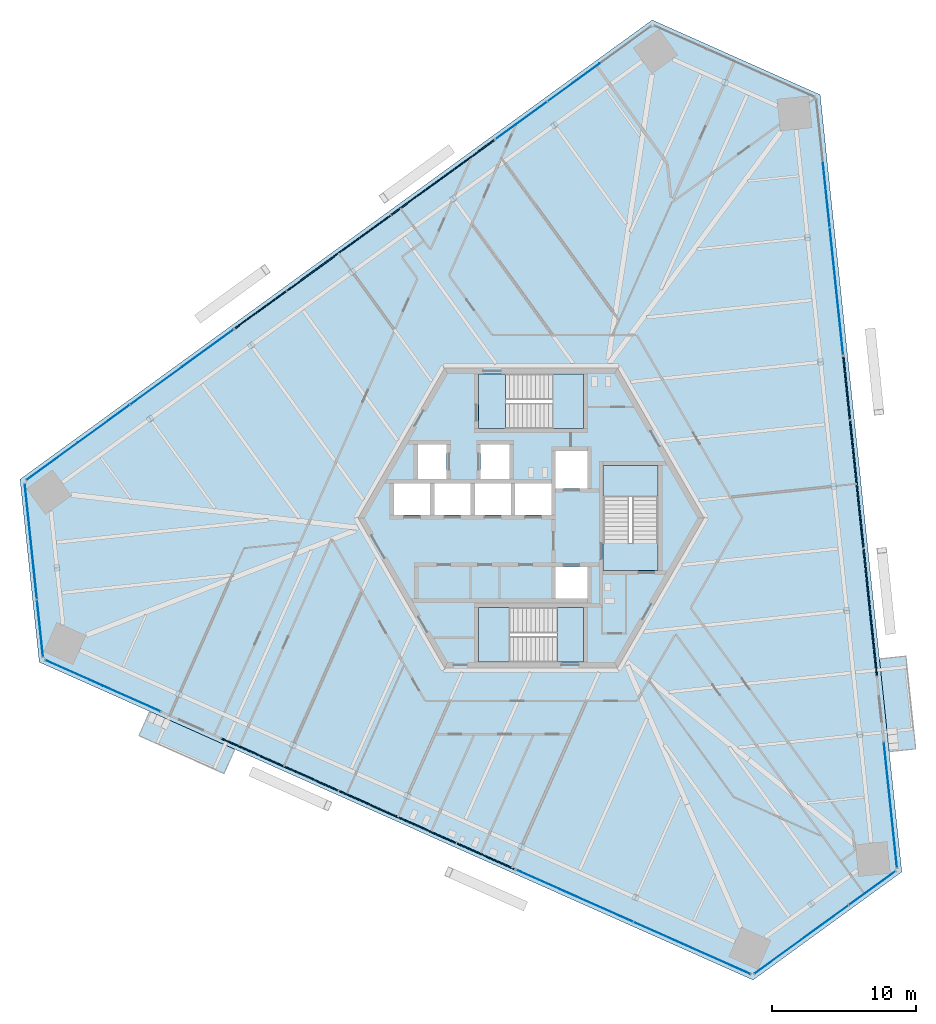
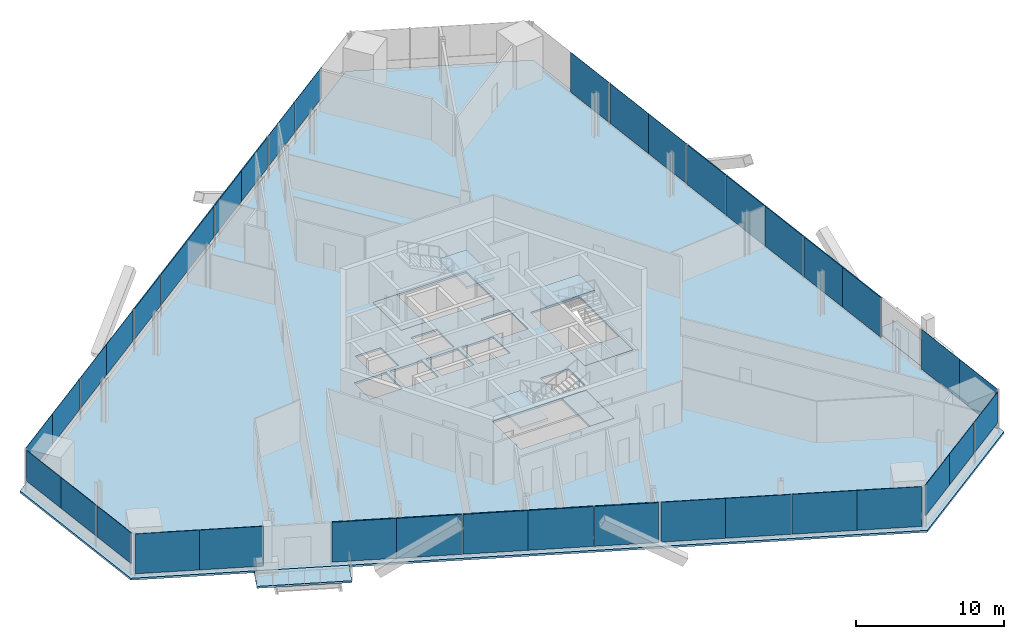
# One storey, part 10 of 19: 38 plates, 9 slabs, 14 elements without a shape of their own.
"""IFC4 building model written with IfcOpenShell, lengths in metres."""

from ifc_helpers import new_model, si_unit, direction, frame, origin, origin_2d, place, context, subcontext, project, spatial, polyline, rectangle, outline, extrude, source, transform, mapped, material, layer, layer_set, type_object, element, aggregate, save


model = new_model("IFC4")

# Units and contexts
model_context = context("Model", 3, precision=1e-05, world=origin(), true_north=direction((0.0, 1.0)))
body_context = subcontext(model_context, "Body", "Model", "MODEL_VIEW")
ifc_project = project(units=[si_unit("LENGTHUNIT", "METRE"), si_unit("AREAUNIT", "SQUARE_METRE"), si_unit("VOLUMEUNIT", "CUBIC_METRE"), si_unit("PLANEANGLEUNIT", "RADIAN"), si_unit("MASSUNIT", "GRAM", prefix="KILO")], contexts=[model_context])

# Site, building, storey
site_placement = place(None, origin())
site = spatial("IfcSite", under=ifc_project, at=site_placement, CompositionType="ELEMENT")
building_placement = place(site_placement, origin())
building = spatial("IfcBuilding", under=site, at=building_placement, Name="Triune Harvest Tower", CompositionType="ELEMENT")
storey_placement = place(building_placement, frame((0.0, 0.0, 69.300048828125)))
storey = spatial("IfcBuildingStorey", under=building, at=storey_placement, Name="L16", CompositionType="ELEMENT", Elevation=69.300048828125)

# Slabs
ifc_material_1 = material(Name="Concrete 40 MPa", Category="concrete")
ifc_layer_1 = layer(ifc_material_1, 0.159912109375)
ifc_layer_set_1 = layer_set([ifc_layer_1], Name="Concrete 40 MPa")
slab_type_1 = type_object("IfcSlabType", Name="BA-1 balcony slab 160", PredefinedType="FLOOR", material=ifc_layer_set_1)
slab_1_placement = place(storey_placement, frame((0.0, 0.0, -0.16015625)))
element("IfcSlab", 1, at=slab_1_placement, inside=storey, type_object=slab_type_1, Name="Balcony slab B2-F1 L16.3", PredefinedType="FLOOR", context=body_context, shape_type="SweptSolid", body=[
    extrude(outline(polyline([(24.826416015625, -16.193115234375), (24.151611328125, -9.7724609375), (25.986083984375, -9.57958984375), (26.660888671875, -16.00048828125), (24.826416015625, -16.193115234375)])), origin(), (0.0, 0.0, 1.0), 0.16015625),
])
slab_2_placement = place(storey_placement, frame((0.0, 0.0, -0.16015625)))
element("IfcSlab", 2, at=slab_2_placement, inside=storey, type_object=slab_type_1, Name="Balcony slab B2-F5 L16.3", PredefinedType="FLOOR", context=body_context, shape_type="SweptSolid", body=[
    extrude(outline(polyline([(-26.436767578125, -13.40380859375), (-20.538818359375, -16.02978515625), (-21.2890625, -17.715087890625), (-27.18701171875, -15.089111328125), (-26.436767578125, -13.40380859375)])), origin(), (0.0, 0.0, 1.0), 0.16015625),
])
ifc_material_2 = material(Name="Concrete 40 MPa", Category="concrete")
ifc_layer_2 = layer(ifc_material_2, 0.159912109375)
ifc_layer_set_2 = layer_set([ifc_layer_2], Name="Concrete 40 MPa")
slab_type_2 = type_object("IfcSlabType", Name="SL-1 Composite floor slab 160", PredefinedType="FLOOR", material=ifc_layer_set_2)
shared_shape_1 = source(origin(), body_context, "Body", "SweptSolid", [
    extrude(outline(polyline([(25.703125, -24.534423828125), (20.04052734375, 29.34228515625), (8.395751953125, 34.526611328125), (-35.431396484375, 2.6845703125), (-34.098876953125, -9.992431640625), (15.390869140625, -32.026611328125), (25.703125, -24.534423828125)]), holes=[polyline([(-7.0, 0.2099609375), (-7.0, 2.409912109375), (-9.5, 2.409912109375), (-9.5, 0.2099609375), (-7.0, 0.2099609375)]), polyline([(-4.199951171875, 0.2099609375), (-4.199951171875, 2.409912109375), (-6.699951171875, 2.409912109375), (-6.699951171875, 0.2099609375), (-4.199951171875, 0.2099609375)]), polyline([(-1.39990234375, 0.2099609375), (-1.39990234375, 2.409912109375), (-3.89990234375, 2.409912109375), (-3.89990234375, 0.2099609375), (-1.39990234375, 0.2099609375)]), polyline([(1.39990234375, 0.2099609375), (1.39990234375, 2.409912109375), (-1.10009765625, 2.409912109375), (-1.10009765625, 0.2099609375), (1.39990234375, 0.2099609375)]), polyline([(3.89990234375, 2.06005859375), (3.89990234375, 4.659912109375), (1.699951171875, 4.659912109375), (1.699951171875, 2.06005859375), (3.89990234375, 2.06005859375)]), polyline([(3.89990234375, -5.590087890625), (3.89990234375, -3.389892578125), (1.699951171875, -3.389892578125), (1.699951171875, -5.590087890625), (3.89990234375, -5.590087890625)]), polyline([(-5.85009765625, 2.7099609375), (-5.85009765625, 5.110107421875), (-7.85009765625, 5.110107421875), (-7.85009765625, 2.7099609375), (-5.85009765625, 2.7099609375)]), polyline([(-1.5, 2.7099609375), (-1.5, 5.110107421875), (-3.5, 5.110107421875), (-3.5, 2.7099609375), (-1.5, 2.7099609375)]), polyline([(3.64990234375, 6.18994140625), (3.64990234375, 9.989990234375), (-3.64990234375, 9.989990234375), (-3.64990234375, 6.18994140625), (3.64990234375, 6.18994140625)]), polyline([(3.64990234375, -9.989990234375), (3.64990234375, -6.18994140625), (-3.64990234375, -6.18994140625), (-3.64990234375, -9.989990234375), (3.64990234375, -9.989990234375)]), polyline([(8.800048828125, -3.64990234375), (8.800048828125, 3.64990234375), (5.0, 3.64990234375), (5.0, -3.64990234375), (8.800048828125, -3.64990234375)])]), origin(), (0.0, 0.0, 1.0), 0.16015625),
])
slab_3_placement = place(storey_placement, frame((0.0, 0.0, -0.16015625)))
element("IfcSlab", 3, at=slab_3_placement, inside=storey, type_object=slab_type_2, Name="slab/L16/1", PredefinedType="FLOOR", context=body_context, shape_type="MappedRepresentation", body=[
    mapped(shared_shape_1, transform((0.0, 0.0, 0.0), scale=1.0)),
])

# Stair, slabs
ifc_material_3 = material(Name="Concrete 40 MPa", Category="concrete")
stair_type = type_object("IfcStairType", Name="Exit stair 1800 half turn", PredefinedType="HALF_TURN_STAIR", material=ifc_material_3)
stair_1_placement = place(storey_placement, origin())
stair_1 = element("IfcStair", 4, at=stair_1_placement, inside=storey, type_object=stair_type, Name="Exit stair north", PredefinedType="HALF_TURN_STAIR")
ifc_material_4 = material(Name="Concrete 40 MPa", Category="concrete")
ifc_layer_3 = layer(ifc_material_4, 0.199951171875)
ifc_layer_set_3 = layer_set([ifc_layer_3], Name="Concrete 40 MPa")
slab_type_3 = type_object("IfcSlabType", Name="Stair landing 200", PredefinedType="LANDING", material=ifc_layer_set_3)
shared_shape_2 = source(origin(), body_context, "Body", "SweptSolid", [
    extrude(outline(polyline([(-3.64990234375, 6.18994140625), (-1.780029296875, 6.18994140625), (-1.780029296875, 9.989990234375), (-3.64990234375, 9.989990234375), (-3.64990234375, 6.18994140625)])), origin(), (0.0, 0.0, 1.0), 0.199951171875),
])
slab_4_placement = place(storey_placement, frame((0.0, 0.0, -0.199951171875)))
slab_4 = element("IfcSlab", 5, at=slab_4_placement, type_object=slab_type_3, Name="ST-1 landing 1", PredefinedType="LANDING", context=body_context, shape_type="MappedRepresentation", body=[
    mapped(shared_shape_2, transform((0.0, 0.0, 0.0), scale=1.0)),
])
shared_shape_3 = source(origin(), body_context, "Body", "SweptSolid", [
    extrude(outline(polyline([(1.510009765625, 6.18994140625), (3.64990234375, 6.18994140625), (3.64990234375, 9.989990234375), (1.510009765625, 9.989990234375), (1.510009765625, 6.18994140625)])), origin(), (0.0, 0.0, 1.0), 0.2001953125),
])
slab_5_placement = place(storey_placement, frame((0.0, 0.0, 1.599853515625)))
slab_5 = element("IfcSlab", 6, at=slab_5_placement, type_object=slab_type_3, Name="ST-1 landing 2", PredefinedType="LANDING", context=body_context, shape_type="MappedRepresentation", body=[
    mapped(shared_shape_3, transform((0.0, 0.0, 0.0), scale=1.0)),
])
aggregate(stair_1, [slab_4, slab_5])

stair_2_placement = place(storey_placement, origin())
stair_2 = element("IfcStair", 7, at=stair_2_placement, inside=storey, type_object=stair_type, Name="Exit stair south", PredefinedType="HALF_TURN_STAIR")
shared_shape_4 = source(origin(), body_context, "Body", "SweptSolid", [
    extrude(outline(polyline([(3.64990234375, -6.18994140625), (1.780029296875, -6.18994140625), (1.780029296875, -9.989990234375), (3.64990234375, -9.989990234375), (3.64990234375, -6.18994140625)])), origin(), (0.0, 0.0, 1.0), 0.199951171875),
])
slab_6_placement = place(storey_placement, frame((0.0, 0.0, -0.199951171875)))
slab_6 = element("IfcSlab", 8, at=slab_6_placement, type_object=slab_type_3, Name="ST-2 landing 1", PredefinedType="LANDING", context=body_context, shape_type="MappedRepresentation", body=[
    mapped(shared_shape_4, transform((0.0, 0.0, 0.0), scale=1.0)),
])
shared_shape_5 = source(origin(), body_context, "Body", "SweptSolid", [
    extrude(outline(polyline([(-1.510009765625, -6.18994140625), (-3.64990234375, -6.18994140625), (-3.64990234375, -9.989990234375), (-1.510009765625, -9.989990234375), (-1.510009765625, -6.18994140625)])), origin(), (0.0, 0.0, 1.0), 0.2001953125),
])
slab_7_placement = place(storey_placement, frame((0.0, 0.0, 1.599853515625)))
slab_7 = element("IfcSlab", 9, at=slab_7_placement, type_object=slab_type_3, Name="ST-2 landing 2", PredefinedType="LANDING", context=body_context, shape_type="MappedRepresentation", body=[
    mapped(shared_shape_5, transform((0.0, 0.0, 0.0), scale=1.0)),
])
aggregate(stair_2, [slab_6, slab_7])

stair_3_placement = place(storey_placement, origin())
stair_3 = element("IfcStair", 10, at=stair_3_placement, inside=storey, type_object=stair_type, Name="Exit stair east", PredefinedType="HALF_TURN_STAIR")
shared_shape_6 = source(origin(), body_context, "Body", "SweptSolid", [
    extrude(outline(polyline([(8.800048828125, -3.64990234375), (8.800048828125, -1.780029296875), (5.0, -1.780029296875), (5.0, -3.64990234375), (8.800048828125, -3.64990234375)])), origin(), (0.0, 0.0, 1.0), 0.199951171875),
])
slab_8_placement = place(storey_placement, frame((0.0, 0.0, -0.199951171875)))
slab_8 = element("IfcSlab", 11, at=slab_8_placement, type_object=slab_type_3, Name="ST-3 landing 1", PredefinedType="LANDING", context=body_context, shape_type="MappedRepresentation", body=[
    mapped(shared_shape_6, transform((0.0, 0.0, 0.0), scale=1.0)),
])
shared_shape_7 = source(origin(), body_context, "Body", "SweptSolid", [
    extrude(outline(polyline([(8.800048828125, 1.510009765625), (8.800048828125, 3.64990234375), (5.0, 3.64990234375), (5.0, 1.510009765625), (8.800048828125, 1.510009765625)])), origin(), (0.0, 0.0, 1.0), 0.2001953125),
])
slab_9_placement = place(storey_placement, frame((0.0, 0.0, 1.599853515625)))
slab_9 = element("IfcSlab", 12, at=slab_9_placement, type_object=slab_type_3, Name="ST-3 landing 2", PredefinedType="LANDING", context=body_context, shape_type="MappedRepresentation", body=[
    mapped(shared_shape_7, transform((0.0, 0.0, 0.0), scale=1.0)),
])
aggregate(stair_3, [slab_8, slab_9])

# Curtain wall, plates
ifc_material_5 = material(Name="Aluminium bronze anodised", Category="aluminium")
curtain_wall_type_1 = type_object("IfcCurtainWallType", Name="CW-1 Tower stick curtain wall", PredefinedType="NOTDEFINED", material=ifc_material_5)
curtain_wall_1_placement = place(storey_placement, origin())
curtain_wall_1 = element("IfcCurtainWall", 13, at=curtain_wall_1_placement, inside=storey, type_object=curtain_wall_type_1, Name="CW-1 B2-F4 L16 run 1")
ifc_material_6 = material(Name="Glass", Category="glass")
ifc_layer_4 = layer(ifc_material_6, 0.031982421875)
ifc_layer_set_4 = layer_set([ifc_layer_4], Name="Glass")
plate_type_1 = type_object("IfcPlateType", Name="GL-1 panel 32", PredefinedType="CURTAIN_PANEL", material=ifc_layer_set_4)
shared_shape_8 = source(origin(), body_context, "Body", "SweptSolid", [
    extrude(rectangle(XDim=3.99853515625, YDim=0.031982421875, at=origin_2d()), origin(), (0.0, 0.0, 1.0), 2.5400390625),
])
plate_1_placement = place(storey_placement, frame((-34.888671875, 0.39111328125, 0.89990234375), z_axis=(0.0, 0.0, 1.0), x_axis=(0.104529462601, -0.994521790334, 0.0)))
plate_1 = element("IfcPlate", 14, at=plate_1_placement, type_object=plate_type_1, Name="CW-1 panel B2-F4 1.1", PredefinedType="CURTAIN_PANEL", context=body_context, shape_type="MappedRepresentation", body=[
    mapped(shared_shape_8, transform((0.0, 0.0, 0.0), scale=1.0)),
])
shared_shape_9 = source(origin(), body_context, "Body", "SweptSolid", [
    extrude(rectangle(XDim=4.035888671875, YDim=0.031982421875, at=origin_2d()), origin(), (0.0, 0.0, 1.0), 2.5400390625),
])
plate_2_placement = place(storey_placement, frame((-34.46875, -3.60400390625, 0.89990234375), z_axis=(0.0, 0.0, 1.0), x_axis=(0.104529462601, -0.994521790334, 0.0)))
plate_2 = element("IfcPlate", 15, at=plate_2_placement, type_object=plate_type_1, Name="CW-1 panel B2-F4 1.2", PredefinedType="CURTAIN_PANEL", context=body_context, shape_type="MappedRepresentation", body=[
    mapped(shared_shape_9, transform((0.0, 0.0, 0.0), scale=1.0)),
])

# Curtain wall, plate
curtain_wall_2_placement = place(storey_placement, origin())
curtain_wall_2 = element("IfcCurtainWall", 16, at=curtain_wall_2_placement, inside=storey, type_object=curtain_wall_type_1, Name="CW-1 B2-F6 L16 run 1")
plate_3_placement = place(storey_placement, frame((20.35546875, -28.048828125, 0.89990234375), z_axis=(0.0, 0.0, 1.0), x_axis=(0.809013235692, 0.58779042564, 0.0)))
plate_3 = element("IfcPlate", 17, at=plate_3_placement, type_object=plate_type_1, Name="CW-1 panel B2-F6 1.2", PredefinedType="CURTAIN_PANEL", context=body_context, shape_type="MappedRepresentation", body=[
    mapped(shared_shape_9, transform((0.0, 0.0, 0.0), scale=1.0)),
])

# Plate
shared_shape_10 = source(origin(), body_context, "Body", "SweptSolid", [
    extrude(rectangle(XDim=3.9609375, YDim=0.031982421875, at=origin_2d()), origin(), (0.0, 0.0, 1.0), 2.5400390625),
])
plate_4_placement = place(storey_placement, frame((-34.04296875, -7.655029296875, 0.89990234375), z_axis=(0.0, 0.0, 1.0), x_axis=(0.104529462601, -0.994521790334, 0.0)))
plate_4 = element("IfcPlate", 18, at=plate_4_placement, type_object=plate_type_1, Name="CW-1 panel B2-F4 1.3", PredefinedType="CURTAIN_PANEL", context=body_context, shape_type="MappedRepresentation", body=[
    mapped(shared_shape_10, transform((0.0, 0.0, 0.0), scale=1.0)),
])

aggregate(curtain_wall_1, [plate_1, plate_2, plate_4])

plate_5_placement = place(storey_placement, frame((23.65087890625, -25.654541015625, 0.89990234375), z_axis=(0.0, 0.0, 1.0), x_axis=(0.809013235692, 0.58779042564, 0.0)))
plate_5 = element("IfcPlate", 19, at=plate_5_placement, type_object=plate_type_1, Name="CW-1 panel B2-F6 1.3", PredefinedType="CURTAIN_PANEL", context=body_context, shape_type="MappedRepresentation", body=[
    mapped(shared_shape_10, transform((0.0, 0.0, 0.0), scale=1.0)),
])

shared_shape_11 = source(origin(), body_context, "Body", "SweptSolid", [
    extrude(rectangle(XDim=3.998291015625, YDim=0.031982421875, at=origin_2d()), origin(), (0.0, 0.0, 1.0), 2.5400390625),
])
plate_6_placement = place(storey_placement, frame((17.10546875, -30.41015625, 0.89990234375), z_axis=(0.0, 0.0, 1.0), x_axis=(0.809013235692, 0.58779042564, 0.0)))
plate_6 = element("IfcPlate", 20, at=plate_6_placement, type_object=plate_type_1, Name="CW-1 panel B2-F6 1.1", PredefinedType="CURTAIN_PANEL", context=body_context, shape_type="MappedRepresentation", body=[
    mapped(shared_shape_11, transform((0.0, 0.0, 0.0), scale=1.0)),
])

aggregate(curtain_wall_2, [plate_6, plate_3, plate_5])

# Curtain wall, plates
ifc_material_7 = material(Name="Aluminium bronze anodised", Category="aluminium")
curtain_wall_type_2 = type_object("IfcCurtainWallType", Name="CW-7 Tower stick curtain wall with insulated spandrel infill", PredefinedType="NOTDEFINED", material=ifc_material_7)
curtain_wall_3_placement = place(storey_placement, origin())
curtain_wall_3 = element("IfcCurtainWall", 21, at=curtain_wall_3_placement, inside=storey, type_object=curtain_wall_type_2, Name="CW-7 B2-F3 L16 run 1001")
ifc_material_8 = material(Name="Insulated spandrel panel, bronze aluminium pan", Category="aluminium")
ifc_layer_5 = layer(ifc_material_8, 0.080078125)
ifc_layer_set_5 = layer_set([ifc_layer_5], Name="Insulated spandrel panel, bronze aluminium pan")
plate_type_2 = type_object("IfcPlateType", Name="SP-1 insulated spandrel panel 80", PredefinedType="CURTAIN_PANEL", material=ifc_layer_set_5)
shared_shape_12 = source(origin(), body_context, "Body", "SweptSolid", [
    extrude(rectangle(XDim=4.3955078125, YDim=0.080078125, at=origin_2d()), origin(), (0.0, 0.0, 1.0), 2.5400390625),
])
plate_7_placement = place(storey_placement, frame((-4.329833984375, 24.91015625, 0.89990234375), z_axis=(0.0, 0.0, 1.0), x_axis=(-0.809015925746, -0.587786723131, 0.0)))
plate_7 = element("IfcPlate", 22, at=plate_7_placement, type_object=plate_type_2, Name="CW-7 panel B2-F3 1001.1", PredefinedType="CURTAIN_PANEL", context=body_context, shape_type="MappedRepresentation", body=[
    mapped(shared_shape_12, transform((0.0, 0.0, 0.0), scale=1.0)),
])
shared_shape_13 = source(origin(), body_context, "Body", "SweptSolid", [
    extrude(rectangle(XDim=4.43310546875, YDim=0.080078125, at=origin_2d()), origin(), (0.0, 0.0, 1.0), 2.5400390625),
])
plate_8_placement = place(storey_placement, frame((-7.901123046875, 22.3154296875, 0.89990234375), z_axis=(0.0, 0.0, 1.0), x_axis=(-0.809015925746, -0.587786723131, 0.0)))
plate_8 = element("IfcPlate", 23, at=plate_8_placement, type_object=plate_type_2, Name="CW-7 panel B2-F3 1001.2", PredefinedType="CURTAIN_PANEL", context=body_context, shape_type="MappedRepresentation", body=[
    mapped(shared_shape_13, transform((0.0, 0.0, 0.0), scale=1.0)),
])
plate_9_placement = place(storey_placement, frame((-11.548095703125, 19.665771484375, 0.89990234375), z_axis=(0.0, 0.0, 1.0), x_axis=(-0.809015925746, -0.587786723131, 0.0)))
plate_9 = element("IfcPlate", 24, at=plate_9_placement, type_object=plate_type_2, Name="CW-7 panel B2-F3 1001.3", PredefinedType="CURTAIN_PANEL", context=body_context, shape_type="MappedRepresentation", body=[
    mapped(shared_shape_13, transform((0.0, 0.0, 0.0), scale=1.0)),
])
plate_10_placement = place(storey_placement, frame((-15.134521484375, 17.06005859375, 0.89990234375), z_axis=(0.0, 0.0, 1.0), x_axis=(-0.809015925746, -0.587786723131, 0.0)))
plate_10 = element("IfcPlate", 25, at=plate_10_placement, type_object=plate_type_2, Name="CW-7 panel B2-F3 1001.4", PredefinedType="CURTAIN_PANEL", context=body_context, shape_type="MappedRepresentation", body=[
    mapped(shared_shape_13, transform((0.0, 0.0, 0.0), scale=1.0)),
])

curtain_wall_4_placement = place(storey_placement, origin())
curtain_wall_4 = element("IfcCurtainWall", 26, at=curtain_wall_4_placement, inside=storey, type_object=curtain_wall_type_1, Name="CW-1 B2-F3 L16 run 2001")
shared_shape_14 = source(origin(), body_context, "Body", "SweptSolid", [
    extrude(rectangle(XDim=4.3955078125, YDim=0.031982421875, at=origin_2d()), origin(), (0.0, 0.0, 1.0), 2.5400390625),
])
plate_11_placement = place(storey_placement, frame((-22.41357421875, 11.771484375, 0.89990234375), z_axis=(0.0, 0.0, 1.0), x_axis=(-0.809018475536, -0.587783213644, 0.0)))
plate_11 = element("IfcPlate", 27, at=plate_11_placement, type_object=plate_type_1, Name="CW-1 panel B2-F3 2001.1", PredefinedType="CURTAIN_PANEL", context=body_context, shape_type="MappedRepresentation", body=[
    mapped(shared_shape_14, transform((0.0, 0.0, 0.0), scale=1.0)),
])
plate_12_placement = place(storey_placement, frame((-33.203369140625, 3.932373046875, 0.89990234375), z_axis=(0.0, 0.0, 1.0), x_axis=(-0.809018475536, -0.587783213644, 0.0)))
plate_12 = element("IfcPlate", 28, at=plate_12_placement, type_object=plate_type_1, Name="CW-1 panel B2-F3 2001.4", PredefinedType="CURTAIN_PANEL", context=body_context, shape_type="MappedRepresentation", body=[
    mapped(shared_shape_14, transform((0.0, 0.0, 0.0), scale=1.0)),
])

# Curtain wall, plate
curtain_wall_5_placement = place(storey_placement, origin())
curtain_wall_5 = element("IfcCurtainWall", 29, at=curtain_wall_5_placement, inside=storey, type_object=curtain_wall_type_1, Name="CW-1 B2-F3 L16 run 1")
shared_shape_15 = source(origin(), body_context, "Body", "SweptSolid", [
    extrude(rectangle(XDim=4.43310546875, YDim=0.031982421875, at=origin_2d()), origin(), (0.0, 0.0, 1.0), 2.5400390625),
])
plate_13_placement = place(storey_placement, frame((2.94921875, 30.19873046875, 0.89990234375), z_axis=(0.0, 0.0, 1.0), x_axis=(-0.809016876799, -0.587785414122, 0.0)))
plate_13 = element("IfcPlate", 30, at=plate_13_placement, type_object=plate_type_1, Name="CW-1 panel B2-F3 1.2", PredefinedType="CURTAIN_PANEL", context=body_context, shape_type="MappedRepresentation", body=[
    mapped(shared_shape_15, transform((0.0, 0.0, 0.0), scale=1.0)),
])

# Plate
plate_14_placement = place(storey_placement, frame((-25.98486328125, 9.1767578125, 0.89990234375), z_axis=(0.0, 0.0, 1.0), x_axis=(-0.809018475536, -0.587783213644, 0.0)))
plate_14 = element("IfcPlate", 31, at=plate_14_placement, type_object=plate_type_1, Name="CW-1 panel B2-F3 2001.2", PredefinedType="CURTAIN_PANEL", context=body_context, shape_type="MappedRepresentation", body=[
    mapped(shared_shape_15, transform((0.0, 0.0, 0.0), scale=1.0)),
])

plate_15_placement = place(storey_placement, frame((-29.632080078125, 6.527099609375, 0.89990234375), z_axis=(0.0, 0.0, 1.0), x_axis=(-0.809018475536, -0.587783213644, 0.0)))
plate_15 = element("IfcPlate", 32, at=plate_15_placement, type_object=plate_type_1, Name="CW-1 panel B2-F3 2001.3", PredefinedType="CURTAIN_PANEL", context=body_context, shape_type="MappedRepresentation", body=[
    mapped(shared_shape_15, transform((0.0, 0.0, 0.0), scale=1.0)),
])

aggregate(curtain_wall_4, [plate_11, plate_14, plate_15, plate_12])

# Curtain wall, plates
ifc_material_9 = material(Name="Aluminium bronze anodised", Category="aluminium")
curtain_wall_type_3 = type_object("IfcCurtainWallType", Name="CW-6 Balcony window wall", PredefinedType="NOTDEFINED", material=ifc_material_9)
curtain_wall_6_placement = place(storey_placement, origin())
curtain_wall_6 = element("IfcCurtainWall", 33, at=curtain_wall_6_placement, inside=storey, type_object=curtain_wall_type_3, Name="CW-6 B2-F1 L16 run 1")
ifc_material_10 = material(Name="Glass", Category="glass")
ifc_layer_6 = layer(ifc_material_10, 0.030029296875)
ifc_layer_set_6 = layer_set([ifc_layer_6], Name="Glass")
plate_type_3 = type_object("IfcPlateType", Name="GL-6 panel 30", PredefinedType="CURTAIN_PANEL", material=ifc_layer_set_6)
shared_shape_16 = source(origin(), body_context, "Body", "SweptSolid", [
    extrude(rectangle(XDim=4.365478515625, YDim=0.030029296875, at=origin_2d()), origin(), (0.0, 0.0, 1.0), 3.2900390625),
])
plate_16_placement = place(storey_placement, frame((25.14111328125, -22.05859375, 0.14990234375), z_axis=(0.0, 0.0, 1.0), x_axis=(-0.104527536558, 0.994521992769, 0.0)))
plate_16 = element("IfcPlate", 34, at=plate_16_placement, type_object=plate_type_3, Name="CW-6 panel B2-F1 1.1", PredefinedType="CURTAIN_PANEL", context=body_context, shape_type="MappedRepresentation", body=[
    mapped(shared_shape_16, transform((0.0, 0.0, 0.0), scale=1.0)),
])
plate_17_placement = place(storey_placement, frame((24.684814453125, -17.716796875, 0.14990234375), z_axis=(0.0, 0.0, 1.0), x_axis=(-0.104527536558, 0.994521992769, 0.0)))
plate_17 = element("IfcPlate", 35, at=plate_17_placement, type_object=plate_type_3, Name="CW-6 panel B2-F1 1.2", PredefinedType="CURTAIN_PANEL", context=body_context, shape_type="MappedRepresentation", body=[
    mapped(shared_shape_16, transform((0.0, 0.0, 0.0), scale=1.0)),
])
aggregate(curtain_wall_6, [plate_16, plate_17])

curtain_wall_7_placement = place(storey_placement, origin())
curtain_wall_7 = element("IfcCurtainWall", 36, at=curtain_wall_7_placement, inside=storey, type_object=curtain_wall_type_3, Name="CW-6 B2-F5 L16 run 1")
plate_18_placement = place(storey_placement, frame((-31.673828125, -10.74365234375, 0.14990234375), z_axis=(0.0, 0.0, 1.0), x_axis=(0.913545207137, -0.406737205721, 0.0)))
plate_18 = element("IfcPlate", 37, at=plate_18_placement, type_object=plate_type_3, Name="CW-6 panel B2-F5 1.1", PredefinedType="CURTAIN_PANEL", context=body_context, shape_type="MappedRepresentation", body=[
    mapped(shared_shape_16, transform((0.0, 0.0, 0.0), scale=1.0)),
])
plate_19_placement = place(storey_placement, frame((-27.685546875, -12.519287109375, 0.14990234375), z_axis=(0.0, 0.0, 1.0), x_axis=(0.913545207137, -0.406737205721, 0.0)))
plate_19 = element("IfcPlate", 38, at=plate_19_placement, type_object=plate_type_3, Name="CW-6 panel B2-F5 1.2", PredefinedType="CURTAIN_PANEL", context=body_context, shape_type="MappedRepresentation", body=[
    mapped(shared_shape_16, transform((0.0, 0.0, 0.0), scale=1.0)),
])
aggregate(curtain_wall_7, [plate_18, plate_19])

# Curtain wall, plate
ifc_material_11 = material(Name="Aluminium bronze anodised", Category="aluminium")
curtain_wall_type_4 = type_object("IfcCurtainWallType", Name="CW-10 Balcony window wall with insulated spandrel infill", PredefinedType="NOTDEFINED", material=ifc_material_11)
curtain_wall_8_placement = place(storey_placement, origin())
curtain_wall_8 = element("IfcCurtainWall", 39, at=curtain_wall_8_placement, inside=storey, type_object=curtain_wall_type_4, Name="CW-10 B2-F1 L16 run 2")
shared_shape_17 = source(origin(), body_context, "Body", "SweptSolid", [
    extrude(rectangle(XDim=4.400634765625, YDim=0.080078125, at=origin_2d()), origin(), (0.0, 0.0, 1.0), 3.2900390625),
])
plate_20_placement = place(storey_placement, frame((23.7421875, -8.74755859375, 0.14990234375), z_axis=(0.0, 0.0, 1.0), x_axis=(-0.104527417554, 0.994522005277, 0.0)))
plate_20 = element("IfcPlate", 40, at=plate_20_placement, type_object=plate_type_2, Name="CW-10 panel B2-F1 2.1", PredefinedType="CURTAIN_PANEL", context=body_context, shape_type="MappedRepresentation", body=[
    mapped(shared_shape_17, transform((0.0, 0.0, 0.0), scale=1.0)),
])

curtain_wall_9_placement = place(storey_placement, origin())
curtain_wall_9 = element("IfcCurtainWall", 41, at=curtain_wall_9_placement, inside=storey, type_object=curtain_wall_type_4, Name="CW-10 B2-F5 L16 run 2")
plate_21_placement = place(storey_placement, frame((-19.44677734375, -16.1875, 0.14990234375), z_axis=(0.0, 0.0, 1.0), x_axis=(0.91354442698, -0.406738957975, 0.0)))
plate_21 = element("IfcPlate", 42, at=plate_21_placement, type_object=plate_type_2, Name="CW-10 panel B2-F5 2.1", PredefinedType="CURTAIN_PANEL", context=body_context, shape_type="MappedRepresentation", body=[
    mapped(shared_shape_17, transform((0.0, 0.0, 0.0), scale=1.0)),
])

# Plate
shared_shape_18 = source(origin(), body_context, "Body", "SweptSolid", [
    extrude(rectangle(XDim=4.43798828125, YDim=0.080078125, at=origin_2d()), origin(), (0.0, 0.0, 1.0), 3.2900390625),
])
plate_22_placement = place(storey_placement, frame((23.2802734375, -4.3525390625, 0.14990234375), z_axis=(0.0, 0.0, 1.0), x_axis=(-0.104527417554, 0.994522005277, 0.0)))
plate_22 = element("IfcPlate", 43, at=plate_22_placement, type_object=plate_type_2, Name="CW-10 panel B2-F1 2.2", PredefinedType="CURTAIN_PANEL", context=body_context, shape_type="MappedRepresentation", body=[
    mapped(shared_shape_18, transform((0.0, 0.0, 0.0), scale=1.0)),
])

plate_23_placement = place(storey_placement, frame((22.80859375, 0.1357421875, 0.14990234375), z_axis=(0.0, 0.0, 1.0), x_axis=(-0.104527417554, 0.994522005277, 0.0)))
plate_23 = element("IfcPlate", 44, at=plate_23_placement, type_object=plate_type_2, Name="CW-10 panel B2-F1 2.3", PredefinedType="CURTAIN_PANEL", context=body_context, shape_type="MappedRepresentation", body=[
    mapped(shared_shape_18, transform((0.0, 0.0, 0.0), scale=1.0)),
])

plate_24_placement = place(storey_placement, frame((22.344482421875, 4.549560546875, 0.14990234375), z_axis=(0.0, 0.0, 1.0), x_axis=(-0.104527417554, 0.994522005277, 0.0)))
plate_24 = element("IfcPlate", 45, at=plate_24_placement, type_object=plate_type_2, Name="CW-10 panel B2-F1 2.4", PredefinedType="CURTAIN_PANEL", context=body_context, shape_type="MappedRepresentation", body=[
    mapped(shared_shape_18, transform((0.0, 0.0, 0.0), scale=1.0)),
])

plate_25_placement = place(storey_placement, frame((-15.409423828125, -17.985107421875, 0.14990234375), z_axis=(0.0, 0.0, 1.0), x_axis=(0.91354442698, -0.406738957975, 0.0)))
plate_25 = element("IfcPlate", 46, at=plate_25_placement, type_object=plate_type_2, Name="CW-10 panel B2-F5 2.2", PredefinedType="CURTAIN_PANEL", context=body_context, shape_type="MappedRepresentation", body=[
    mapped(shared_shape_18, transform((0.0, 0.0, 0.0), scale=1.0)),
])

plate_26_placement = place(storey_placement, frame((-11.28662109375, -19.82080078125, 0.14990234375), z_axis=(0.0, 0.0, 1.0), x_axis=(0.91354442698, -0.406738957975, 0.0)))
plate_26 = element("IfcPlate", 47, at=plate_26_placement, type_object=plate_type_2, Name="CW-10 panel B2-F5 2.3", PredefinedType="CURTAIN_PANEL", context=body_context, shape_type="MappedRepresentation", body=[
    mapped(shared_shape_18, transform((0.0, 0.0, 0.0), scale=1.0)),
])

plate_27_placement = place(storey_placement, frame((-7.232177734375, -21.6259765625, 0.14990234375), z_axis=(0.0, 0.0, 1.0), x_axis=(0.91354442698, -0.406738957975, 0.0)))
plate_27 = element("IfcPlate", 48, at=plate_27_placement, type_object=plate_type_2, Name="CW-10 panel B2-F5 2.4", PredefinedType="CURTAIN_PANEL", context=body_context, shape_type="MappedRepresentation", body=[
    mapped(shared_shape_18, transform((0.0, 0.0, 0.0), scale=1.0)),
])

shared_shape_19 = source(origin(), body_context, "Body", "SweptSolid", [
    extrude(rectangle(XDim=4.363037109375, YDim=0.080078125, at=origin_2d()), origin(), (0.0, 0.0, 1.0), 3.2900390625),
])
plate_28_placement = place(storey_placement, frame((21.876708984375, 9.000732421875, 0.14990234375), z_axis=(0.0, 0.0, 1.0), x_axis=(-0.104527417554, 0.994522005277, 0.0)))
plate_28 = element("IfcPlate", 49, at=plate_28_placement, type_object=plate_type_2, Name="CW-10 panel B2-F1 2.5", PredefinedType="CURTAIN_PANEL", context=body_context, shape_type="MappedRepresentation", body=[
    mapped(shared_shape_19, transform((0.0, 0.0, 0.0), scale=1.0)),
])

aggregate(curtain_wall_8, [plate_20, plate_22, plate_23, plate_24, plate_28])

plate_29_placement = place(storey_placement, frame((-3.1435546875, -23.4462890625, 0.14990234375), z_axis=(0.0, 0.0, 1.0), x_axis=(0.91354442698, -0.406738957975, 0.0)))
plate_29 = element("IfcPlate", 50, at=plate_29_placement, type_object=plate_type_2, Name="CW-10 panel B2-F5 2.5", PredefinedType="CURTAIN_PANEL", context=body_context, shape_type="MappedRepresentation", body=[
    mapped(shared_shape_19, transform((0.0, 0.0, 0.0), scale=1.0)),
])

aggregate(curtain_wall_9, [plate_21, plate_25, plate_26, plate_27, plate_29])

# Curtain wall, plate
curtain_wall_10_placement = place(storey_placement, origin())
curtain_wall_10 = element("IfcCurtainWall", 51, at=curtain_wall_10_placement, inside=storey, type_object=curtain_wall_type_3, Name="CW-6 B2-F1 L16 run 1002")
shared_shape_20 = source(origin(), body_context, "Body", "SweptSolid", [
    extrude(rectangle(XDim=4.400634765625, YDim=0.030029296875, at=origin_2d()), origin(), (0.0, 0.0, 1.0), 3.2900390625),
])
plate_30_placement = place(storey_placement, frame((21.403076171875, 13.507568359375, 0.14990234375), z_axis=(0.0, 0.0, 1.0), x_axis=(-0.104527685331, 0.994521977132, 0.0)))
plate_30 = element("IfcPlate", 52, at=plate_30_placement, type_object=plate_type_3, Name="CW-6 panel B2-F1 1002.1", PredefinedType="CURTAIN_PANEL", context=body_context, shape_type="MappedRepresentation", body=[
    mapped(shared_shape_20, transform((0.0, 0.0, 0.0), scale=1.0)),
])

# Curtain wall, plates
curtain_wall_11_placement = place(storey_placement, origin())
curtain_wall_11 = element("IfcCurtainWall", 53, at=curtain_wall_11_placement, inside=storey, type_object=curtain_wall_type_3, Name="CW-6 B2-F5 L16 run 1002")
plate_31_placement = place(storey_placement, frame((0.99658203125, -25.28955078125, 0.14990234375), z_axis=(0.0, 0.0, 1.0), x_axis=(0.913546182332, -0.406735015394, 0.0)))
plate_31 = element("IfcPlate", 54, at=plate_31_placement, type_object=plate_type_3, Name="CW-6 panel B2-F5 1002.1", PredefinedType="CURTAIN_PANEL", context=body_context, shape_type="MappedRepresentation", body=[
    mapped(shared_shape_20, transform((0.0, 0.0, 0.0), scale=1.0)),
])
plate_32_placement = place(storey_placement, frame((13.19384765625, -30.72021484375, 0.14990234375), z_axis=(0.0, 0.0, 1.0), x_axis=(0.913546182332, -0.406735015394, 0.0)))
plate_32 = element("IfcPlate", 55, at=plate_32_placement, type_object=plate_type_3, Name="CW-6 panel B2-F5 1002.4", PredefinedType="CURTAIN_PANEL", context=body_context, shape_type="MappedRepresentation", body=[
    mapped(shared_shape_20, transform((0.0, 0.0, 0.0), scale=1.0)),
])

# Plate
shared_shape_21 = source(origin(), body_context, "Body", "SweptSolid", [
    extrude(rectangle(XDim=4.43798828125, YDim=0.030029296875, at=origin_2d()), origin(), (0.0, 0.0, 1.0), 3.2900390625),
])
plate_33_placement = place(storey_placement, frame((20.941162109375, 17.90283203125, 0.14990234375), z_axis=(0.0, 0.0, 1.0), x_axis=(-0.104527685331, 0.994521977132, 0.0)))
plate_33 = element("IfcPlate", 56, at=plate_33_placement, type_object=plate_type_3, Name="CW-6 panel B2-F1 1002.2", PredefinedType="CURTAIN_PANEL", context=body_context, shape_type="MappedRepresentation", body=[
    mapped(shared_shape_21, transform((0.0, 0.0, 0.0), scale=1.0)),
])

plate_34_placement = place(storey_placement, frame((20.469482421875, 22.39111328125, 0.14990234375), z_axis=(0.0, 0.0, 1.0), x_axis=(-0.104527685331, 0.994521977132, 0.0)))
plate_34 = element("IfcPlate", 57, at=plate_34_placement, type_object=plate_type_3, Name="CW-6 panel B2-F1 1002.3", PredefinedType="CURTAIN_PANEL", context=body_context, shape_type="MappedRepresentation", body=[
    mapped(shared_shape_21, transform((0.0, 0.0, 0.0), scale=1.0)),
])

aggregate(curtain_wall_10, [plate_30, plate_33, plate_34])

plate_35_placement = place(storey_placement, frame((5.03369140625, -27.0869140625, 0.14990234375), z_axis=(0.0, 0.0, 1.0), x_axis=(0.913546182332, -0.406735015394, 0.0)))
plate_35 = element("IfcPlate", 58, at=plate_35_placement, type_object=plate_type_3, Name="CW-6 panel B2-F5 1002.2", PredefinedType="CURTAIN_PANEL", context=body_context, shape_type="MappedRepresentation", body=[
    mapped(shared_shape_21, transform((0.0, 0.0, 0.0), scale=1.0)),
])

plate_36_placement = place(storey_placement, frame((9.15673828125, -28.922607421875, 0.14990234375), z_axis=(0.0, 0.0, 1.0), x_axis=(0.913546182332, -0.406735015394, 0.0)))
plate_36 = element("IfcPlate", 59, at=plate_36_placement, type_object=plate_type_3, Name="CW-6 panel B2-F5 1002.3", PredefinedType="CURTAIN_PANEL", context=body_context, shape_type="MappedRepresentation", body=[
    mapped(shared_shape_21, transform((0.0, 0.0, 0.0), scale=1.0)),
])

aggregate(curtain_wall_11, [plate_31, plate_35, plate_36, plate_32])

shared_shape_22 = source(origin(), body_context, "Body", "SweptSolid", [
    extrude(rectangle(XDim=4.358154296875, YDim=0.031982421875, at=origin_2d()), origin(), (0.0, 0.0, 1.0), 2.5400390625),
])
plate_37_placement = place(storey_placement, frame((-0.66748046875, 27.571044921875, 0.89990234375), z_axis=(0.0, 0.0, 1.0), x_axis=(-0.809016876799, -0.587785414122, 0.0)))
plate_37 = element("IfcPlate", 60, at=plate_37_placement, type_object=plate_type_1, Name="CW-1 panel B2-F3 1.3", PredefinedType="CURTAIN_PANEL", context=body_context, shape_type="MappedRepresentation", body=[
    mapped(shared_shape_22, transform((0.0, 0.0, 0.0), scale=1.0)),
])

aggregate(curtain_wall_5, [plate_13, plate_37])

shared_shape_23 = source(origin(), body_context, "Body", "SweptSolid", [
    extrude(rectangle(XDim=4.358154296875, YDim=0.080078125, at=origin_2d()), origin(), (0.0, 0.0, 1.0), 2.5400390625),
])
plate_38_placement = place(storey_placement, frame((-18.75146484375, 14.432373046875, 0.89990234375), z_axis=(0.0, 0.0, 1.0), x_axis=(-0.809015925746, -0.587786723131, 0.0)))
plate_38 = element("IfcPlate", 61, at=plate_38_placement, type_object=plate_type_2, Name="CW-7 panel B2-F3 1001.5", PredefinedType="CURTAIN_PANEL", context=body_context, shape_type="MappedRepresentation", body=[
    mapped(shared_shape_23, transform((0.0, 0.0, 0.0), scale=1.0)),
])

aggregate(curtain_wall_3, [plate_7, plate_8, plate_9, plate_10, plate_38])

save(model, "model.ifc")
